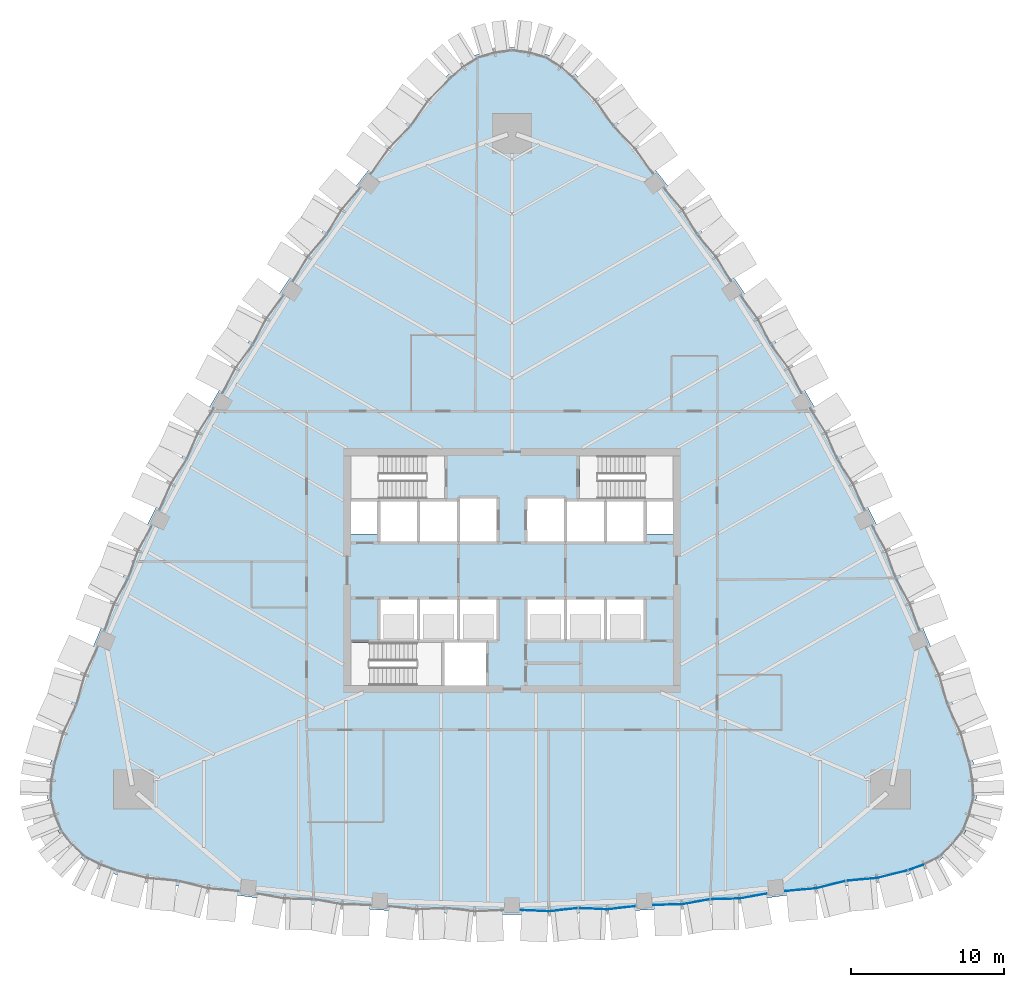
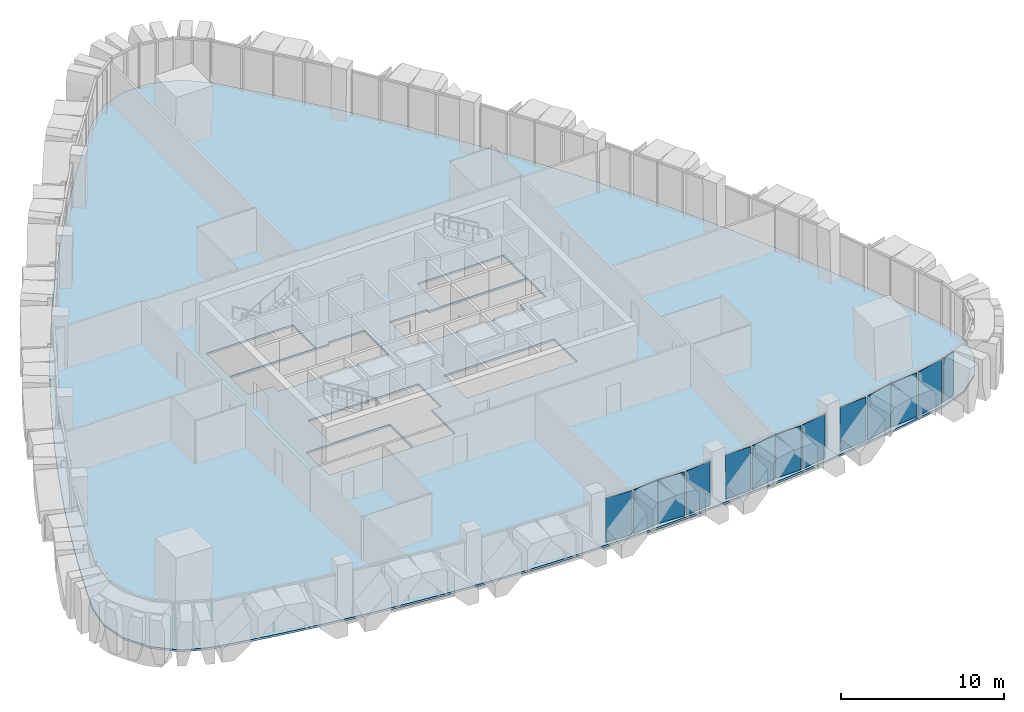
# One storey, part 9 of 18: 13 plates, 1 slab, 4 elements without a shape of their own.
"""IFC4 building model written with IfcOpenShell, lengths in metres."""

from ifc_helpers import new_model, si_unit, direction, frame, origin, place, context, subcontext, project, spatial, polyline, outline, extrude, material, layer, layer_set, type_object, element, aggregate, save


model = new_model("IFC4")

# Units and contexts
model_context = context("Model", 3, precision=1e-05, world=origin(), true_north=direction((0.0, 1.0)))
body_context = subcontext(model_context, "Body", "Model", "MODEL_VIEW")
ifc_project = project(units=[si_unit("LENGTHUNIT", "METRE"), si_unit("AREAUNIT", "SQUARE_METRE"), si_unit("VOLUMEUNIT", "CUBIC_METRE"), si_unit("PLANEANGLEUNIT", "RADIAN"), si_unit("MASSUNIT", "GRAM", prefix="KILO")], contexts=[model_context])

# Site, building, storey
site_placement = place(None, origin())
site = spatial("IfcSite", under=ifc_project, at=site_placement, CompositionType="ELEMENT")
building_placement = place(site_placement, origin())
building = spatial("IfcBuilding", under=site, at=building_placement, Name="Sierra Prisma Convention Tower", CompositionType="ELEMENT")
storey_placement = place(building_placement, frame((0.0, 0.0, 137.800048828125)))
storey = spatial("IfcBuildingStorey", under=building, at=storey_placement, Name="L29", CompositionType="ELEMENT", Elevation=137.800048828125)

# Curtain wall, plates
ifc_material_1 = material(Name="Aluminium and glass curtain wall", Category="aluminium")
ifc_layer_1 = layer(ifc_material_1, 0.179931640625)
ifc_layer_set_1 = layer_set([ifc_layer_1], Name="CW-2 Faceted crystal curtain wall")
curtain_wall_type = type_object("IfcCurtainWallType", Name="CW-2 Faceted crystal curtain wall", PredefinedType="NOTDEFINED", material=ifc_layer_set_1)
curtain_wall_1_placement = place(storey_placement, origin())
curtain_wall_1 = element("IfcCurtainWall", 1, at=curtain_wall_1_placement, inside=storey, type_object=curtain_wall_type, Name="CW-2 S4 L29", PredefinedType="NOTDEFINED")
ifc_material_2 = material(Name="Tinted glass bronze-grey IGU", Category="glass")
ifc_layer_2 = layer(ifc_material_2, 0.028076171875)
ifc_layer_set_2 = layer_set([ifc_layer_2], Name="CW-2 crystal pane")
plate_type = type_object("IfcPlateType", Name="CW-2 crystal pane", PredefinedType="CURTAIN_PANEL", material=ifc_layer_set_2)
plate_1_placement = place(storey_placement, frame((0.569580078125, -22.179443359375, 0.0), z_axis=(-0.044965319699, -0.998988548495, 0.0), x_axis=(0.998988548495, -0.044965319699, 0.0)))
plate_1 = element("IfcPlate", 2, at=plate_1_placement, type_object=plate_type, Name="CW-2 pane S4.1.1", PredefinedType="CURTAIN_PANEL", context=body_context, shape_type="SweptSolid", body=[
    extrude(outline(polyline([(0.0, 0.0), (1.8026044970312498, 0.0), (1.8026044970312498, 3.280029296875), (0.0, 3.280029296875), (0.0, 0.0)])), origin(), (0.0, 0.0, -1.0), 0.028076171875),
])
plate_2_placement = place(storey_placement, frame((4.291015625, -22.0546875, 0.0), z_axis=(0.111873349171, -0.993722473201, 0.0), x_axis=(-0.993722473201, -0.111873349171, 0.0)))
plate_2 = element("IfcPlate", 3, at=plate_2_placement, type_object=plate_type, Name="CW-2 pane S4.1.2", PredefinedType="CURTAIN_PANEL", context=body_context, shape_type="SweptSolid", body=[
    extrude(outline(polyline([(0.0, 0.0), (1.8025754815168504, 0.0), (1.8025754815168504, -3.280029296875), (0.0, -3.280029296875), (0.0, 0.0)])), origin(), (0.0, 0.0, -1.0), 0.028076171875),
])
plate_3_placement = place(storey_placement, frame((4.36083984375, -22.052490234375, 0.0), z_axis=(-0.044971404362, -0.998988274601, 0.0), x_axis=(0.998988274601, -0.044971404362, 0.0)))
plate_3 = element("IfcPlate", 4, at=plate_3_placement, type_object=plate_type, Name="CW-2 pane S4.2.1", PredefinedType="CURTAIN_PANEL", context=body_context, shape_type="SweptSolid", body=[
    extrude(outline(polyline([(0.0, 0.0), (1.8023606033760846, 0.0), (1.8023606033760846, 3.280029296875001), (0.0, 3.280029296875001), (0.0, 0.0)])), origin(), (0.0, 0.0, -1.0), 0.028076171875),
])
plate_4_placement = place(storey_placement, frame((8.08203125, -21.927734375, 0.0), z_axis=(0.111754642822, -0.993735829991, 0.0), x_axis=(-0.993735829991, -0.111754642822, 0.0)))
plate_4 = element("IfcPlate", 5, at=plate_4_placement, type_object=plate_type, Name="CW-2 pane S4.2.2", PredefinedType="CURTAIN_PANEL", context=body_context, shape_type="SweptSolid", body=[
    extrude(outline(polyline([(0.0, 0.0), (1.80230557352087, 0.0), (1.80230557352087, -3.280029296875001), (0.0, -3.280029296875001), (0.0, 0.0)])), origin(), (0.0, 0.0, -1.0), 0.028076171875),
])
aggregate(curtain_wall_1, [plate_1, plate_2, plate_3, plate_4])

curtain_wall_2_placement = place(storey_placement, origin())
curtain_wall_2 = element("IfcCurtainWall", 6, at=curtain_wall_2_placement, inside=storey, type_object=curtain_wall_type, Name="CW-2 S5 L29", PredefinedType="NOTDEFINED")
plate_5_placement = place(storey_placement, frame((9.231689453125, -21.850830078125, 0.0), z_axis=(0.021905466451, -0.999760046481, 0.0), x_axis=(0.999760046481, 0.021905466451, 0.0)))
plate_5 = element("IfcPlate", 7, at=plate_5_placement, type_object=plate_type, Name="CW-2 pane S5.1.1", PredefinedType="CURTAIN_PANEL", context=body_context, shape_type="SweptSolid", body=[
    extrude(outline(polyline([(0.0, 0.0), (1.7943758793067706, 0.0), (1.7943758793067706, 3.280029296875001), (0.0, 3.280029296875001), (0.0, 0.0)])), origin(), (0.0, 0.0, -1.0), 0.028076171875),
])
plate_6_placement = place(storey_placement, frame((12.920166015625, -21.478759765625, 0.0), z_axis=(0.178107099109, -0.984011108294, 0.0), x_axis=(-0.984011108294, -0.178107099109, 0.0)))
plate_6 = element("IfcPlate", 8, at=plate_6_placement, type_object=plate_type, Name="CW-2 pane S5.1.2", PredefinedType="CURTAIN_PANEL", context=body_context, shape_type="SweptSolid", body=[
    extrude(outline(polyline([(0.0, 0.0), (1.7943140937303539, 0.0), (1.7943140937303539, -3.280029296875), (0.0, -3.280029296875), (0.0, 0.0)])), origin(), (0.0, 0.0, -1.0), 0.028076171875),
])
plate_7_placement = place(storey_placement, frame((12.98974609375, -21.471923828125, 0.0), z_axis=(0.022041459352, -0.999757057524, 0.0), x_axis=(0.999757057524, 0.022041459352, 0.0)))
plate_7 = element("IfcPlate", 9, at=plate_7_placement, type_object=plate_type, Name="CW-2 pane S5.2.1", PredefinedType="CURTAIN_PANEL", context=body_context, shape_type="SweptSolid", body=[
    extrude(outline(polyline([(0.0, 0.0), (1.7943812439217615, 0.0), (1.7943812439217615, 3.280029296875001), (0.0, 3.280029296875001), (0.0, 0.0)])), origin(), (0.0, 0.0, -1.0), 0.028076171875),
])
plate_8_placement = place(storey_placement, frame((16.67822265625, -21.099853515625, 0.0), z_axis=(0.178107099109, -0.984011108294, 0.0), x_axis=(-0.984011108294, -0.178107099109, 0.0)))
plate_8 = element("IfcPlate", 10, at=plate_8_placement, type_object=plate_type, Name="CW-2 pane S5.2.2", PredefinedType="CURTAIN_PANEL", context=body_context, shape_type="SweptSolid", body=[
    extrude(outline(polyline([(0.0, 0.0), (1.7943140937303539, 0.0), (1.7943140937303539, -3.280029296875), (0.0, -3.280029296875), (0.0, 0.0)])), origin(), (0.0, 0.0, -1.0), 0.028076171875),
])
aggregate(curtain_wall_2, [plate_5, plate_6, plate_7, plate_8])

curtain_wall_3_placement = place(storey_placement, origin())
curtain_wall_3 = element("IfcCurtainWall", 11, at=curtain_wall_3_placement, inside=storey, type_object=curtain_wall_type, Name="CW-2 S6 L29", PredefinedType="NOTDEFINED")
plate_9_placement = place(storey_placement, frame((17.85205078125, -20.943115234375, 0.0), z_axis=(0.088882660449, -0.996042103865, 0.0), x_axis=(0.996042103865, 0.088882660449, 0.0)))
plate_9 = element("IfcPlate", 12, at=plate_9_placement, type_object=plate_type, Name="CW-2 pane S6.1.1", PredefinedType="CURTAIN_PANEL", context=body_context, shape_type="SweptSolid", body=[
    extrude(outline(polyline([(0.0, 0.0), (1.9309824718122317, 0.0), (1.9309824718122317, 3.280029296875), (0.0, 3.280029296875), (0.0, 0.0)])), origin(), (0.0, 0.0, -1.0), 0.028076171875),
])
plate_10_placement = place(storey_placement, frame((21.77587890625, -20.279296875, 0.0), z_axis=(0.243636178795, -0.969866698254, 0.0), x_axis=(-0.969866698254, -0.243636178795, 0.0)))
plate_10 = element("IfcPlate", 13, at=plate_10_placement, type_object=plate_type, Name="CW-2 pane S6.1.2", PredefinedType="CURTAIN_PANEL", context=body_context, shape_type="SweptSolid", body=[
    extrude(outline(polyline([(0.0, 0.0), (1.9309898337022993, 0.0), (1.9309898337022993, -3.280029296875001), (0.0, -3.280029296875001), (0.0, 0.0)])), origin(), (0.0, 0.0, -1.0), 0.028076171875),
])
plate_11_placement = place(storey_placement, frame((21.844970703125, -20.267578125, 0.0), z_axis=(0.088882660449, -0.996042103865, 0.0), x_axis=(0.996042103865, 0.088882660449, 0.0)))
plate_11 = element("IfcPlate", 14, at=plate_11_placement, type_object=plate_type, Name="CW-2 pane S6.2.1", PredefinedType="CURTAIN_PANEL", context=body_context, shape_type="SweptSolid", body=[
    extrude(outline(polyline([(0.0, 0.0), (1.9309824718122317, 0.0), (1.9309824718122317, 3.280029296875), (0.0, 3.280029296875), (0.0, 0.0)])), origin(), (0.0, 0.0, -1.0), 0.028076171875),
])
plate_12_placement = place(storey_placement, frame((25.76904296875, -19.60400390625, 0.0), z_axis=(0.243636178795, -0.969866698254, 0.0), x_axis=(-0.969866698254, -0.243636178795, 0.0)))
plate_12 = element("IfcPlate", 15, at=plate_12_placement, type_object=plate_type, Name="CW-2 pane S6.2.2", PredefinedType="CURTAIN_PANEL", context=body_context, shape_type="SweptSolid", body=[
    extrude(outline(polyline([(0.0, 0.0), (1.9309898337022993, 0.0), (1.9309898337022993, -3.280029296875001), (0.0, -3.280029296875001), (0.0, 0.0)])), origin(), (0.0, 0.0, -1.0), 0.028076171875),
])
aggregate(curtain_wall_3, [plate_9, plate_10, plate_11, plate_12])

# Curtain wall, plate
curtain_wall_4_placement = place(storey_placement, origin())
curtain_wall_4 = element("IfcCurtainWall", 16, at=curtain_wall_4_placement, inside=storey, type_object=curtain_wall_type, Name="CW-2 SE1 L29", PredefinedType="NOTDEFINED")
plate_13_placement = place(storey_placement, frame((25.902099609375, -19.564208984375, 0.0), z_axis=(0.327954394481, -0.944693556208, 0.0), x_axis=(0.944693556208, 0.327954394481, 0.0)))
plate_13 = element("IfcPlate", 17, at=plate_13_placement, type_object=plate_type, Name="CW-2 pane SE1.1.1", PredefinedType="CURTAIN_PANEL", context=body_context, shape_type="SweptSolid", body=[
    extrude(outline(polyline([(0.0, 0.0), (1.0034979498328616, 0.0), (1.0034979498328616, 3.280029296875001), (0.0, 3.280029296875001), (0.0, 0.0)])), origin(), (0.0, 0.0, -1.0), 0.028076171875),
])
aggregate(curtain_wall_4, [plate_13])

# Slab
ifc_material_3 = material(Name="Concrete C35/45", Category="concrete")
ifc_layer_3 = layer(ifc_material_3, 0.14990234375)
ifc_layer_set_3 = layer_set([ifc_layer_3], Name="Composite floor slab 150")
slab_type = type_object("IfcSlabType", Name="Composite floor slab 150", PredefinedType="FLOOR", material=ifc_layer_set_3)
slab_placement = place(storey_placement, frame((0.0, 0.0, -0.150146484375)))
element("IfcSlab", 18, at=slab_placement, inside=storey, type_object=slab_type, Name="Floor slab L29 floor", PredefinedType="FLOOR", context=body_context, shape_type="SweptSolid", body=[
    extrude(outline(polyline([(-25.887939453125, -19.83740234375), (-23.993408203125, -20.208740234375), (-22.093505859375, -20.552001953125), (-20.188720703125, -20.86669921875), (-18.279541015625, -21.1533203125), (-16.3662109375, -21.411376953125), (-14.449462890625, -21.640625), (-12.529296875, -21.841552734375), (-10.6064453125, -22.013916015625), (-8.68115234375, -22.157470703125), (-6.754150390625, -22.2724609375), (-4.825439453125, -22.358642578125), (-2.895751953125, -22.416259765625), (-0.96533203125, -22.445068359375), (0.96533203125, -22.445068359375), (2.895751953125, -22.416259765625), (4.825439453125, -22.358642578125), (6.754150390625, -22.2724609375), (8.68115234375, -22.157470703125), (10.6064453125, -22.013916015625), (12.529296875, -21.841552734375), (14.449462890625, -21.640625), (16.3662109375, -21.411376953125), (18.279541015625, -21.1533203125), (20.188720703125, -20.86669921875), (22.093505859375, -20.552001953125), (23.993408203125, -20.208740234375), (25.887939453125, -19.83740234375), (27.664306640625, -19.147705078125), (29.111083984375, -17.907470703125), (30.063720703125, -16.257080078125), (30.41455078125, -14.384033203125), (30.12353515625, -12.5009765625), (29.498046875, -10.674560546875), (28.84521484375, -8.857666015625), (28.16552734375, -7.050537109375), (27.458984375, -5.25390625), (26.725830078125, -3.468017578125), (25.966064453125, -1.693115234375), (25.18017578125, 0.070068359375), (24.367919921875, 1.821533203125), (23.529541015625, 3.560546875), (22.66552734375, 5.287109375), (21.77587890625, 7.00048828125), (20.86083984375, 8.700439453125), (19.920654296875, 10.386474609375), (18.955322265625, 12.058349609375), (17.965087890625, 13.7158203125), (16.950439453125, 15.3583984375), (15.91162109375, 16.9853515625), (14.848388671875, 18.596923828125), (13.761474609375, 20.1923828125), (12.65087890625, 21.771484375), (11.5166015625, 23.333984375), (10.359619140625, 24.87939453125), (9.179443359375, 26.4072265625), (7.976806640625, 27.91748046875), (6.751708984375, 29.40966796875), (5.504638671875, 30.88330078125), (4.235595703125, 32.338134765625), (2.750244140625, 33.531982421875), (0.952880859375, 34.16455078125), (-0.952880859375, 34.16455078125), (-2.750244140625, 33.531982421875), (-4.235595703125, 32.338134765625), (-5.504638671875, 30.88330078125), (-6.751708984375, 29.40966796875), (-7.976806640625, 27.91748046875), (-9.179443359375, 26.4072265625), (-10.359619140625, 24.87939453125), (-11.5166015625, 23.333984375), (-12.65087890625, 21.771484375), (-13.761474609375, 20.1923828125), (-14.848388671875, 18.596923828125), (-15.91162109375, 16.9853515625), (-16.950439453125, 15.3583984375), (-17.965087890625, 13.7158203125), (-18.955322265625, 12.058349609375), (-19.920654296875, 10.386474609375), (-20.86083984375, 8.700439453125), (-21.77587890625, 7.00048828125), (-22.66552734375, 5.287109375), (-23.529541015625, 3.560546875), (-24.367919921875, 1.821533203125), (-25.18017578125, 0.070068359375), (-25.966064453125, -1.693115234375), (-26.725830078125, -3.468017578125), (-27.458984375, -5.25390625), (-28.16552734375, -7.050537109375), (-28.84521484375, -8.857666015625), (-29.498046875, -10.674560546875), (-30.12353515625, -12.5009765625), (-30.41455078125, -14.384033203125), (-30.063720703125, -16.257080078125), (-29.111083984375, -17.907470703125), (-27.664306640625, -19.147705078125), (-25.887939453125, -19.83740234375)]), holes=[polyline([(-4.60009765625, -7.5), (-10.5, -7.5), (-10.5, -4.699951171875), (-4.60009765625, -4.699951171875), (-4.60009765625, -7.5)]), polyline([(-8.699951171875, -4.60009765625), (-8.699951171875, -1.800048828125), (-6.10009765625, -1.800048828125), (-3.5, -1.800048828125), (-0.89990234375, -1.800048828125), (-0.89990234375, -4.60009765625), (-1.60009765625, -4.60009765625), (-1.60009765625, -7.5), (-4.5, -7.5), (-4.5, -4.60009765625), (-6.10009765625, -4.60009765625), (-8.699951171875, -4.60009765625)]), polyline([(-10.5, 4.60009765625), (-8.699951171875, 4.60009765625), (-6.10009765625, 4.60009765625), (-3.5, 4.60009765625), (-3.5, 4.800048828125), (-0.89990234375, 4.800048828125), (-0.89990234375, 1.800048828125), (-3.5, 1.800048828125), (-6.10009765625, 1.800048828125), (-8.699951171875, 1.800048828125), (-8.699951171875, 2.39990234375), (-10.5, 2.39990234375), (-10.5, 4.60009765625)]), polyline([(-10.5, 4.699951171875), (-10.5, 7.5), (-4.39990234375, 7.5), (-4.39990234375, 4.699951171875), (-10.5, 4.699951171875)]), polyline([(6.10009765625, -1.800048828125), (8.699951171875, -1.800048828125), (8.699951171875, -4.60009765625), (6.10009765625, -4.60009765625), (3.5, -4.60009765625), (0.89990234375, -4.60009765625), (0.89990234375, -1.800048828125), (3.5, -1.800048828125), (6.10009765625, -1.800048828125)]), polyline([(8.699951171875, 4.60009765625), (10.5, 4.60009765625), (10.5, 2.39990234375), (8.699951171875, 2.39990234375), (8.699951171875, 1.800048828125), (6.10009765625, 1.800048828125), (3.5, 1.800048828125), (0.89990234375, 1.800048828125), (0.89990234375, 4.800048828125), (3.5, 4.800048828125), (3.5, 4.60009765625), (6.10009765625, 4.60009765625), (8.699951171875, 4.60009765625)]), polyline([(4.39990234375, 4.699951171875), (4.39990234375, 7.5), (10.5, 7.5), (10.5, 4.699951171875), (4.39990234375, 4.699951171875)])]), origin(), (0.0, 0.0, 1.0), 0.150146484375),
])

save(model, "model.ifc")
